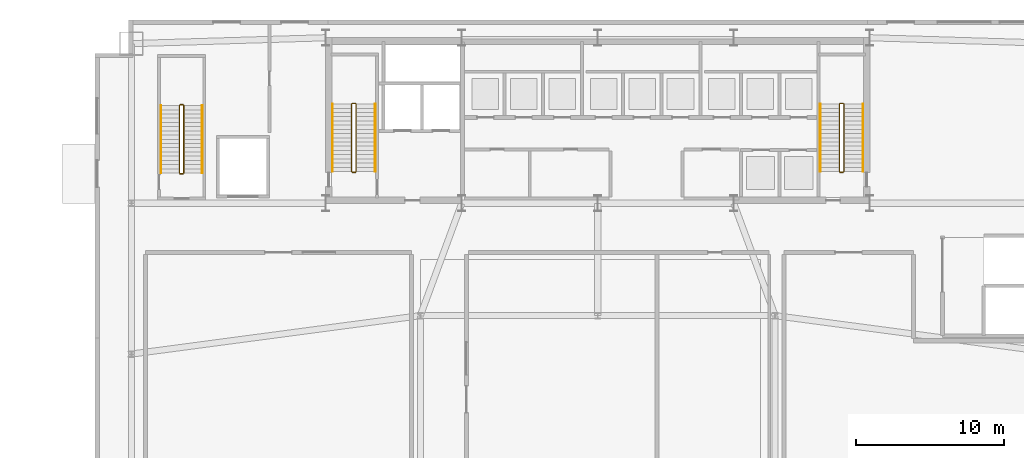
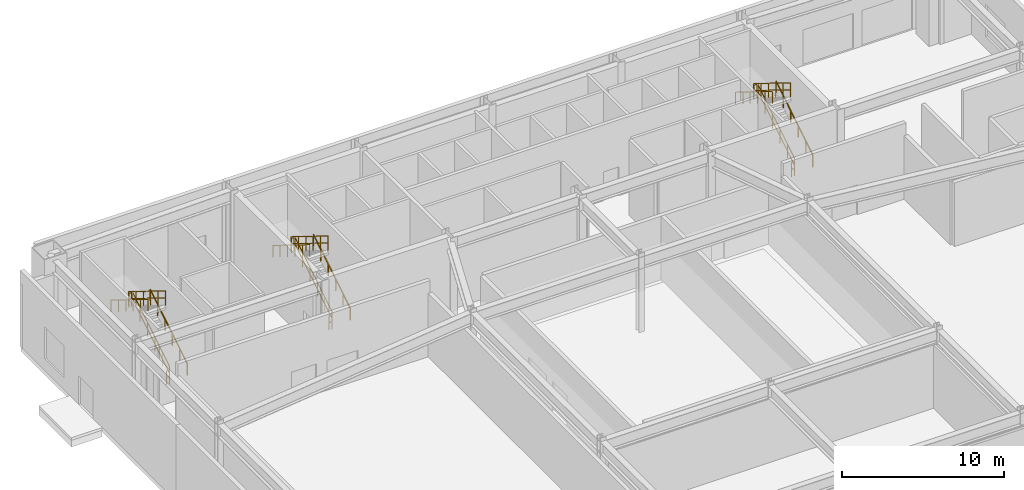
# One storey, part 15 of 17: 18 railings.
"""IFC4 building model written with IfcOpenShell, lengths in metres."""

from ifc_helpers import new_model, si_unit, direction, frame, origin, origin_2d, place, context, subcontext, project, spatial, rectangle, extrude, material, type_object, element, save


model = new_model("IFC4")

# Units and contexts
model_context = context("Model", 3, precision=1e-05, world=origin(), true_north=direction((0.0, 1.0)))
body_context = subcontext(model_context, "Body", "Model", "MODEL_VIEW")
ifc_project = project(units=[si_unit("LENGTHUNIT", "METRE"), si_unit("AREAUNIT", "SQUARE_METRE"), si_unit("VOLUMEUNIT", "CUBIC_METRE"), si_unit("PLANEANGLEUNIT", "RADIAN"), si_unit("MASSUNIT", "GRAM", prefix="KILO")], contexts=[model_context])

# Site, building, storey
site_placement = place(None, origin())
site = spatial("IfcSite", under=ifc_project, at=site_placement, CompositionType="ELEMENT")
building_placement = place(site_placement, origin())
building = spatial("IfcBuilding", under=site, at=building_placement, Name="Varnel Quay Broadcast Tower", CompositionType="ELEMENT")
storey_placement = place(building_placement, origin())
storey = spatial("IfcBuildingStorey", under=building, at=storey_placement, Name="L00", CompositionType="ELEMENT", Elevation=0.0)

# Railings
ifc_material = material(Name="Painted Steel Guard and Handrail CSA G40.21 350W", Category="steel")
railing_type_1 = type_object("IfcRailingType", Name="Rail_StairGuard1100", PredefinedType="GUARDRAIL", material=ifc_material)
railing_1_placement = place(storey_placement, frame((17.64990234375, 37.75, 0.176513671875)))
element("IfcRailing", 1, at=railing_1_placement, inside=storey, type_object=railing_type_1, Name="L00 ST-01 stair guard 1", PredefinedType="GUARDRAIL", context=body_context, shape_type="SweptSolid", body=[
    extrude(rectangle(XDim=0.048095703125, YDim=0.048095703125, at=origin_2d()), frame((0.0, 0.0, 1.076171875), z_axis=(0.0, 0.850215668316, 0.526434532824), x_axis=(-1.0, 0.0, 0.0)), (0.0, 0.0, 1.0), 5.363525390625),
    extrude(rectangle(XDim=0.048095703125, YDim=0.048095703125, at=origin_2d()), frame((0.0, 0.0, 0.550048828125), z_axis=(0.0, 0.850215668316, 0.526434532824), x_axis=(-1.0, 0.0, 0.0)), (0.0, 0.0, 1.0), 5.363525390625),
    extrude(rectangle(XDim=0.0419921875, YDim=0.0419921875, at=origin_2d()), origin(), (0.0, 0.0, 1.0), 1.052001953125),
    extrude(rectangle(XDim=0.0419921875, YDim=0.0419921875, at=origin_2d()), frame((0.0, 0.912109375, 0.564697265625)), (0.0, 0.0, 1.0), 1.052001953125),
    extrude(rectangle(XDim=0.0419921875, YDim=0.0419921875, at=origin_2d()), frame((0.0, 1.823974609375, 1.12939453125)), (0.0, 0.0, 1.0), 1.052001953125),
    extrude(rectangle(XDim=0.0419921875, YDim=0.0419921875, at=origin_2d()), frame((0.0, 2.736083984375, 1.694091796875)), (0.0, 0.0, 1.0), 1.052001953125),
    extrude(rectangle(XDim=0.0419921875, YDim=0.0419921875, at=origin_2d()), frame((0.0, 3.64794921875, 2.2587890625)), (0.0, 0.0, 1.0), 1.052001953125),
    extrude(rectangle(XDim=0.0419921875, YDim=0.0419921875, at=origin_2d()), frame((0.0, 4.56005859375, 2.823486328125)), (0.0, 0.0, 1.0), 1.052001953125),
])
railing_2_placement = place(storey_placement, frame((17.60009765625, 42.360107421875, 3.0)))
element("IfcRailing", 2, at=railing_2_placement, inside=storey, type_object=railing_type_1, Name="L00 ST-01 stair guard 2", PredefinedType="GUARDRAIL", context=body_context, shape_type="SweptSolid", body=[
    extrude(rectangle(XDim=0.048095703125, YDim=0.048095703125, at=origin_2d()), frame((0.0, 0.0, 1.076171875), z_axis=(-1.0, 0.0, 0.0), x_axis=(0.0, -1.0, 0.0)), (0.0, 0.0, 1.0), 0.2001953125),
    extrude(rectangle(XDim=0.048095703125, YDim=0.048095703125, at=origin_2d()), frame((0.0, 0.0, 0.550048828125), z_axis=(-1.0, 0.0, 0.0), x_axis=(0.0, -1.0, 0.0)), (0.0, 0.0, 1.0), 0.2001953125),
    extrude(rectangle(XDim=0.0419921875, YDim=0.0419921875, at=origin_2d()), origin(), (0.0, 0.0, 1.0), 1.052001953125),
    extrude(rectangle(XDim=0.0419921875, YDim=0.0419921875, at=origin_2d()), frame((-0.2001953125, 0.0, 0.0)), (0.0, 0.0, 1.0), 1.052001953125),
])
railing_3_placement = place(storey_placement, frame((17.35009765625, 42.31005859375, 3.176513671875)))
element("IfcRailing", 3, at=railing_3_placement, inside=storey, type_object=railing_type_1, Name="L00 ST-01 stair guard 3", PredefinedType="GUARDRAIL", context=body_context, shape_type="SweptSolid", body=[
    extrude(rectangle(XDim=0.048095703125, YDim=0.048095703125, at=origin_2d()), frame((0.0, 0.0, 1.076171875), z_axis=(0.0, -0.850215668316, 0.526434532824), x_axis=(1.0, 0.0, 0.0)), (0.0, 0.0, 1.0), 5.363525390625),
    extrude(rectangle(XDim=0.048095703125, YDim=0.048095703125, at=origin_2d()), frame((0.0, 0.0, 0.550048828125), z_axis=(0.0, -0.850215668316, 0.526434532824), x_axis=(1.0, 0.0, 0.0)), (0.0, 0.0, 1.0), 5.363525390625),
    extrude(rectangle(XDim=0.0419921875, YDim=0.0419921875, at=origin_2d()), origin(), (0.0, 0.0, 1.0), 1.052001953125),
    extrude(rectangle(XDim=0.0419921875, YDim=0.0419921875, at=origin_2d()), frame((0.0, -0.912109375, 0.564697265625)), (0.0, 0.0, 1.0), 1.052001953125),
    extrude(rectangle(XDim=0.0419921875, YDim=0.0419921875, at=origin_2d()), frame((0.0, -1.823974609375, 1.12939453125)), (0.0, 0.0, 1.0), 1.052001953125),
    extrude(rectangle(XDim=0.0419921875, YDim=0.0419921875, at=origin_2d()), frame((0.0, -2.736083984375, 1.694091796875)), (0.0, 0.0, 1.0), 1.052001953125),
    extrude(rectangle(XDim=0.0419921875, YDim=0.0419921875, at=origin_2d()), frame((0.0, -3.64794921875, 2.2587890625)), (0.0, 0.0, 1.0), 1.052001953125),
    extrude(rectangle(XDim=0.0419921875, YDim=0.0419921875, at=origin_2d()), frame((0.0, -4.56005859375, 2.823486328125)), (0.0, 0.0, 1.0), 1.052001953125),
])
railing_4_placement = place(storey_placement, frame((17.60009765625, 37.699951171875, 0.0)))
element("IfcRailing", 4, at=railing_4_placement, inside=storey, type_object=railing_type_1, Name="L00 ST-01 stair guard 4", PredefinedType="GUARDRAIL", context=body_context, shape_type="SweptSolid", body=[
    extrude(rectangle(XDim=0.048095703125, YDim=0.048095703125, at=origin_2d()), frame((0.0, 0.0, 1.076171875), z_axis=(-1.0, 0.0, 0.0), x_axis=(0.0, -1.0, 0.0)), (0.0, 0.0, 1.0), 0.2001953125),
    extrude(rectangle(XDim=0.048095703125, YDim=0.048095703125, at=origin_2d()), frame((0.0, 0.0, 0.550048828125), z_axis=(-1.0, 0.0, 0.0), x_axis=(0.0, -1.0, 0.0)), (0.0, 0.0, 1.0), 0.2001953125),
    extrude(rectangle(XDim=0.0419921875, YDim=0.0419921875, at=origin_2d()), origin(), (0.0, 0.0, 1.0), 1.052001953125),
    extrude(rectangle(XDim=0.0419921875, YDim=0.0419921875, at=origin_2d()), frame((-0.2001953125, 0.0, 0.0)), (0.0, 0.0, 1.0), 1.052001953125),
])
railing_5_placement = place(storey_placement, frame((50.64990234375, 37.75, 0.176513671875)))
element("IfcRailing", 5, at=railing_5_placement, inside=storey, type_object=railing_type_1, Name="L00 ST-02 stair guard 1", PredefinedType="GUARDRAIL", context=body_context, shape_type="SweptSolid", body=[
    extrude(rectangle(XDim=0.048095703125, YDim=0.048095703125, at=origin_2d()), frame((0.0, 0.0, 1.076171875), z_axis=(0.0, 0.850215668316, 0.526434532824), x_axis=(-1.0, 0.0, 0.0)), (0.0, 0.0, 1.0), 5.363525390625),
    extrude(rectangle(XDim=0.048095703125, YDim=0.048095703125, at=origin_2d()), frame((0.0, 0.0, 0.550048828125), z_axis=(0.0, 0.850215668316, 0.526434532824), x_axis=(-1.0, 0.0, 0.0)), (0.0, 0.0, 1.0), 5.363525390625),
    extrude(rectangle(XDim=0.0419921875, YDim=0.0419921875, at=origin_2d()), origin(), (0.0, 0.0, 1.0), 1.052001953125),
    extrude(rectangle(XDim=0.0419921875, YDim=0.0419921875, at=origin_2d()), frame((0.0, 0.912109375, 0.564697265625)), (0.0, 0.0, 1.0), 1.052001953125),
    extrude(rectangle(XDim=0.0419921875, YDim=0.0419921875, at=origin_2d()), frame((0.0, 1.823974609375, 1.12939453125)), (0.0, 0.0, 1.0), 1.052001953125),
    extrude(rectangle(XDim=0.0419921875, YDim=0.0419921875, at=origin_2d()), frame((0.0, 2.736083984375, 1.694091796875)), (0.0, 0.0, 1.0), 1.052001953125),
    extrude(rectangle(XDim=0.0419921875, YDim=0.0419921875, at=origin_2d()), frame((0.0, 3.64794921875, 2.2587890625)), (0.0, 0.0, 1.0), 1.052001953125),
    extrude(rectangle(XDim=0.0419921875, YDim=0.0419921875, at=origin_2d()), frame((0.0, 4.56005859375, 2.823486328125)), (0.0, 0.0, 1.0), 1.052001953125),
])
railing_6_placement = place(storey_placement, frame((50.60009765625, 42.360107421875, 3.0)))
element("IfcRailing", 6, at=railing_6_placement, inside=storey, type_object=railing_type_1, Name="L00 ST-02 stair guard 2", PredefinedType="GUARDRAIL", context=body_context, shape_type="SweptSolid", body=[
    extrude(rectangle(XDim=0.048095703125, YDim=0.048095703125, at=origin_2d()), frame((0.0, 0.0, 1.076171875), z_axis=(-1.0, 0.0, 0.0), x_axis=(0.0, -1.0, 0.0)), (0.0, 0.0, 1.0), 0.2001953125),
    extrude(rectangle(XDim=0.048095703125, YDim=0.048095703125, at=origin_2d()), frame((0.0, 0.0, 0.550048828125), z_axis=(-1.0, 0.0, 0.0), x_axis=(0.0, -1.0, 0.0)), (0.0, 0.0, 1.0), 0.2001953125),
    extrude(rectangle(XDim=0.0419921875, YDim=0.0419921875, at=origin_2d()), origin(), (0.0, 0.0, 1.0), 1.052001953125),
    extrude(rectangle(XDim=0.0419921875, YDim=0.0419921875, at=origin_2d()), frame((-0.2001953125, 0.0, 0.0)), (0.0, 0.0, 1.0), 1.052001953125),
])
railing_7_placement = place(storey_placement, frame((50.35009765625, 42.31005859375, 3.176513671875)))
element("IfcRailing", 7, at=railing_7_placement, inside=storey, type_object=railing_type_1, Name="L00 ST-02 stair guard 3", PredefinedType="GUARDRAIL", context=body_context, shape_type="SweptSolid", body=[
    extrude(rectangle(XDim=0.048095703125, YDim=0.048095703125, at=origin_2d()), frame((0.0, 0.0, 1.076171875), z_axis=(0.0, -0.850215668316, 0.526434532824), x_axis=(1.0, 0.0, 0.0)), (0.0, 0.0, 1.0), 5.363525390625),
    extrude(rectangle(XDim=0.048095703125, YDim=0.048095703125, at=origin_2d()), frame((0.0, 0.0, 0.550048828125), z_axis=(0.0, -0.850215668316, 0.526434532824), x_axis=(1.0, 0.0, 0.0)), (0.0, 0.0, 1.0), 5.363525390625),
    extrude(rectangle(XDim=0.0419921875, YDim=0.0419921875, at=origin_2d()), origin(), (0.0, 0.0, 1.0), 1.052001953125),
    extrude(rectangle(XDim=0.0419921875, YDim=0.0419921875, at=origin_2d()), frame((0.0, -0.912109375, 0.564697265625)), (0.0, 0.0, 1.0), 1.052001953125),
    extrude(rectangle(XDim=0.0419921875, YDim=0.0419921875, at=origin_2d()), frame((0.0, -1.823974609375, 1.12939453125)), (0.0, 0.0, 1.0), 1.052001953125),
    extrude(rectangle(XDim=0.0419921875, YDim=0.0419921875, at=origin_2d()), frame((0.0, -2.736083984375, 1.694091796875)), (0.0, 0.0, 1.0), 1.052001953125),
    extrude(rectangle(XDim=0.0419921875, YDim=0.0419921875, at=origin_2d()), frame((0.0, -3.64794921875, 2.2587890625)), (0.0, 0.0, 1.0), 1.052001953125),
    extrude(rectangle(XDim=0.0419921875, YDim=0.0419921875, at=origin_2d()), frame((0.0, -4.56005859375, 2.823486328125)), (0.0, 0.0, 1.0), 1.052001953125),
])
railing_8_placement = place(storey_placement, frame((50.60009765625, 37.699951171875, 0.0)))
element("IfcRailing", 8, at=railing_8_placement, inside=storey, type_object=railing_type_1, Name="L00 ST-02 stair guard 4", PredefinedType="GUARDRAIL", context=body_context, shape_type="SweptSolid", body=[
    extrude(rectangle(XDim=0.048095703125, YDim=0.048095703125, at=origin_2d()), frame((0.0, 0.0, 1.076171875), z_axis=(-1.0, 0.0, 0.0), x_axis=(0.0, -1.0, 0.0)), (0.0, 0.0, 1.0), 0.2001953125),
    extrude(rectangle(XDim=0.048095703125, YDim=0.048095703125, at=origin_2d()), frame((0.0, 0.0, 0.550048828125), z_axis=(-1.0, 0.0, 0.0), x_axis=(0.0, -1.0, 0.0)), (0.0, 0.0, 1.0), 0.2001953125),
    extrude(rectangle(XDim=0.0419921875, YDim=0.0419921875, at=origin_2d()), origin(), (0.0, 0.0, 1.0), 1.052001953125),
    extrude(rectangle(XDim=0.0419921875, YDim=0.0419921875, at=origin_2d()), frame((-0.2001953125, 0.0, 0.0)), (0.0, 0.0, 1.0), 1.052001953125),
])
railing_9_placement = place(storey_placement, frame((6.0, 37.64990234375, 0.176513671875)))
element("IfcRailing", 9, at=railing_9_placement, inside=storey, type_object=railing_type_1, Name="L00 ST-03 stair guard 1", PredefinedType="GUARDRAIL", context=body_context, shape_type="SweptSolid", body=[
    extrude(rectangle(XDim=0.048095703125, YDim=0.048095703125, at=origin_2d()), frame((0.0, 0.0, 1.076171875), z_axis=(0.0, 0.850215668316, 0.526434532824), x_axis=(-1.0, 0.0, 0.0)), (0.0, 0.0, 1.0), 5.363525390625),
    extrude(rectangle(XDim=0.048095703125, YDim=0.048095703125, at=origin_2d()), frame((0.0, 0.0, 0.550048828125), z_axis=(0.0, 0.850215668316, 0.526434532824), x_axis=(-1.0, 0.0, 0.0)), (0.0, 0.0, 1.0), 5.363525390625),
    extrude(rectangle(XDim=0.0419921875, YDim=0.0419921875, at=origin_2d()), origin(), (0.0, 0.0, 1.0), 1.052001953125),
    extrude(rectangle(XDim=0.0419921875, YDim=0.0419921875, at=origin_2d()), frame((0.0, 0.912109375, 0.564697265625)), (0.0, 0.0, 1.0), 1.052001953125),
    extrude(rectangle(XDim=0.0419921875, YDim=0.0419921875, at=origin_2d()), frame((0.0, 1.823974609375, 1.12939453125)), (0.0, 0.0, 1.0), 1.052001953125),
    extrude(rectangle(XDim=0.0419921875, YDim=0.0419921875, at=origin_2d()), frame((0.0, 2.736083984375, 1.694091796875)), (0.0, 0.0, 1.0), 1.052001953125),
    extrude(rectangle(XDim=0.0419921875, YDim=0.0419921875, at=origin_2d()), frame((0.0, 3.64794921875, 2.2587890625)), (0.0, 0.0, 1.0), 1.052001953125),
    extrude(rectangle(XDim=0.0419921875, YDim=0.0419921875, at=origin_2d()), frame((0.0, 4.56005859375, 2.823486328125)), (0.0, 0.0, 1.0), 1.052001953125),
])
railing_10_placement = place(storey_placement, frame((5.949951171875, 42.260009765625, 3.0)))
element("IfcRailing", 10, at=railing_10_placement, inside=storey, type_object=railing_type_1, Name="L00 ST-03 stair guard 2", PredefinedType="GUARDRAIL", context=body_context, shape_type="SweptSolid", body=[
    extrude(rectangle(XDim=0.048095703125, YDim=0.048095703125, at=origin_2d()), frame((0.0, 0.0, 1.076171875), z_axis=(-1.0, 0.0, 0.0), x_axis=(0.0, -1.0, 0.0)), (0.0, 0.0, 1.0), 0.199951171875),
    extrude(rectangle(XDim=0.048095703125, YDim=0.048095703125, at=origin_2d()), frame((0.0, 0.0, 0.550048828125), z_axis=(-1.0, 0.0, 0.0), x_axis=(0.0, -1.0, 0.0)), (0.0, 0.0, 1.0), 0.199951171875),
    extrude(rectangle(XDim=0.0419921875, YDim=0.0419921875, at=origin_2d()), origin(), (0.0, 0.0, 1.0), 1.052001953125),
    extrude(rectangle(XDim=0.0419921875, YDim=0.0419921875, at=origin_2d()), frame((-0.199951171875, 0.0, 0.0)), (0.0, 0.0, 1.0), 1.052001953125),
])
railing_11_placement = place(storey_placement, frame((5.699951171875, 42.2099609375, 3.176513671875)))
element("IfcRailing", 11, at=railing_11_placement, inside=storey, type_object=railing_type_1, Name="L00 ST-03 stair guard 3", PredefinedType="GUARDRAIL", context=body_context, shape_type="SweptSolid", body=[
    extrude(rectangle(XDim=0.048095703125, YDim=0.048095703125, at=origin_2d()), frame((0.0, 0.0, 1.076171875), z_axis=(0.0, -0.850215668316, 0.526434532824), x_axis=(1.0, 0.0, 0.0)), (0.0, 0.0, 1.0), 5.363525390625),
    extrude(rectangle(XDim=0.048095703125, YDim=0.048095703125, at=origin_2d()), frame((0.0, 0.0, 0.550048828125), z_axis=(0.0, -0.850215668316, 0.526434532824), x_axis=(1.0, 0.0, 0.0)), (0.0, 0.0, 1.0), 5.363525390625),
    extrude(rectangle(XDim=0.0419921875, YDim=0.0419921875, at=origin_2d()), origin(), (0.0, 0.0, 1.0), 1.052001953125),
    extrude(rectangle(XDim=0.0419921875, YDim=0.0419921875, at=origin_2d()), frame((0.0, -0.912109375, 0.564697265625)), (0.0, 0.0, 1.0), 1.052001953125),
    extrude(rectangle(XDim=0.0419921875, YDim=0.0419921875, at=origin_2d()), frame((0.0, -1.823974609375, 1.12939453125)), (0.0, 0.0, 1.0), 1.052001953125),
    extrude(rectangle(XDim=0.0419921875, YDim=0.0419921875, at=origin_2d()), frame((0.0, -2.736083984375, 1.694091796875)), (0.0, 0.0, 1.0), 1.052001953125),
    extrude(rectangle(XDim=0.0419921875, YDim=0.0419921875, at=origin_2d()), frame((0.0, -3.64794921875, 2.2587890625)), (0.0, 0.0, 1.0), 1.052001953125),
    extrude(rectangle(XDim=0.0419921875, YDim=0.0419921875, at=origin_2d()), frame((0.0, -4.56005859375, 2.823486328125)), (0.0, 0.0, 1.0), 1.052001953125),
])
railing_12_placement = place(storey_placement, frame((5.949951171875, 37.60009765625, 0.0)))
element("IfcRailing", 12, at=railing_12_placement, inside=storey, type_object=railing_type_1, Name="L00 ST-03 stair guard 4", PredefinedType="GUARDRAIL", context=body_context, shape_type="SweptSolid", body=[
    extrude(rectangle(XDim=0.048095703125, YDim=0.048095703125, at=origin_2d()), frame((0.0, 0.0, 1.076171875), z_axis=(-1.0, 0.0, 0.0), x_axis=(0.0, -1.0, 0.0)), (0.0, 0.0, 1.0), 0.199951171875),
    extrude(rectangle(XDim=0.048095703125, YDim=0.048095703125, at=origin_2d()), frame((0.0, 0.0, 0.550048828125), z_axis=(-1.0, 0.0, 0.0), x_axis=(0.0, -1.0, 0.0)), (0.0, 0.0, 1.0), 0.199951171875),
    extrude(rectangle(XDim=0.0419921875, YDim=0.0419921875, at=origin_2d()), origin(), (0.0, 0.0, 1.0), 1.052001953125),
    extrude(rectangle(XDim=0.0419921875, YDim=0.0419921875, at=origin_2d()), frame((-0.199951171875, 0.0, 0.0)), (0.0, 0.0, 1.0), 1.052001953125),
])
railing_type_2 = type_object("IfcRailingType", Name="Rail_StairHandrail900", PredefinedType="HANDRAIL", material=ifc_material)
railing_13_placement = place(storey_placement, frame((18.949951171875, 37.75, 0.176513671875)))
element("IfcRailing", 13, at=railing_13_placement, inside=storey, type_object=railing_type_2, Name="L00 ST-01 stair handrail 1", PredefinedType="HANDRAIL", context=body_context, shape_type="SweptSolid", body=[
    extrude(rectangle(XDim=0.048095703125, YDim=0.048095703125, at=origin_2d()), frame((0.0, 0.0, 0.8759765625), z_axis=(0.0, 0.850215668316, 0.526434532824), x_axis=(-1.0, 0.0, 0.0)), (0.0, 0.0, 1.0), 5.363525390625),
    extrude(rectangle(XDim=0.0419921875, YDim=0.0419921875, at=origin_2d()), origin(), (0.0, 0.0, 1.0), 0.851806640625),
    extrude(rectangle(XDim=0.0419921875, YDim=0.0419921875, at=origin_2d()), frame((0.0, 0.912109375, 0.564697265625)), (0.0, 0.0, 1.0), 0.851806640625),
    extrude(rectangle(XDim=0.0419921875, YDim=0.0419921875, at=origin_2d()), frame((0.0, 1.823974609375, 1.12939453125)), (0.0, 0.0, 1.0), 0.851806640625),
    extrude(rectangle(XDim=0.0419921875, YDim=0.0419921875, at=origin_2d()), frame((0.0, 2.736083984375, 1.694091796875)), (0.0, 0.0, 1.0), 0.851806640625),
    extrude(rectangle(XDim=0.0419921875, YDim=0.0419921875, at=origin_2d()), frame((0.0, 3.64794921875, 2.2587890625)), (0.0, 0.0, 1.0), 0.851806640625),
    extrude(rectangle(XDim=0.0419921875, YDim=0.0419921875, at=origin_2d()), frame((0.0, 4.56005859375, 2.823486328125)), (0.0, 0.0, 1.0), 0.851806640625),
])
railing_14_placement = place(storey_placement, frame((16.050048828125, 42.31005859375, 3.176513671875)))
element("IfcRailing", 14, at=railing_14_placement, inside=storey, type_object=railing_type_2, Name="L00 ST-01 stair handrail 2", PredefinedType="HANDRAIL", context=body_context, shape_type="SweptSolid", body=[
    extrude(rectangle(XDim=0.048095703125, YDim=0.048095703125, at=origin_2d()), frame((0.0, 0.0, 0.8759765625), z_axis=(0.0, -0.850215668316, 0.526434532824), x_axis=(1.0, 0.0, 0.0)), (0.0, 0.0, 1.0), 5.363525390625),
    extrude(rectangle(XDim=0.0419921875, YDim=0.0419921875, at=origin_2d()), origin(), (0.0, 0.0, 1.0), 0.851806640625),
    extrude(rectangle(XDim=0.0419921875, YDim=0.0419921875, at=origin_2d()), frame((0.0, -0.912109375, 0.564697265625)), (0.0, 0.0, 1.0), 0.851806640625),
    extrude(rectangle(XDim=0.0419921875, YDim=0.0419921875, at=origin_2d()), frame((0.0, -1.823974609375, 1.12939453125)), (0.0, 0.0, 1.0), 0.851806640625),
    extrude(rectangle(XDim=0.0419921875, YDim=0.0419921875, at=origin_2d()), frame((0.0, -2.736083984375, 1.694091796875)), (0.0, 0.0, 1.0), 0.851806640625),
    extrude(rectangle(XDim=0.0419921875, YDim=0.0419921875, at=origin_2d()), frame((0.0, -3.64794921875, 2.2587890625)), (0.0, 0.0, 1.0), 0.851806640625),
    extrude(rectangle(XDim=0.0419921875, YDim=0.0419921875, at=origin_2d()), frame((0.0, -4.56005859375, 2.823486328125)), (0.0, 0.0, 1.0), 0.851806640625),
])
railing_15_placement = place(storey_placement, frame((51.949951171875, 37.75, 0.176513671875)))
element("IfcRailing", 15, at=railing_15_placement, inside=storey, type_object=railing_type_2, Name="L00 ST-02 stair handrail 1", PredefinedType="HANDRAIL", context=body_context, shape_type="SweptSolid", body=[
    extrude(rectangle(XDim=0.048095703125, YDim=0.048095703125, at=origin_2d()), frame((0.0, 0.0, 0.8759765625), z_axis=(0.0, 0.850215668316, 0.526434532824), x_axis=(-1.0, 0.0, 0.0)), (0.0, 0.0, 1.0), 5.363525390625),
    extrude(rectangle(XDim=0.0419921875, YDim=0.0419921875, at=origin_2d()), origin(), (0.0, 0.0, 1.0), 0.851806640625),
    extrude(rectangle(XDim=0.0419921875, YDim=0.0419921875, at=origin_2d()), frame((0.0, 0.912109375, 0.564697265625)), (0.0, 0.0, 1.0), 0.851806640625),
    extrude(rectangle(XDim=0.0419921875, YDim=0.0419921875, at=origin_2d()), frame((0.0, 1.823974609375, 1.12939453125)), (0.0, 0.0, 1.0), 0.851806640625),
    extrude(rectangle(XDim=0.0419921875, YDim=0.0419921875, at=origin_2d()), frame((0.0, 2.736083984375, 1.694091796875)), (0.0, 0.0, 1.0), 0.851806640625),
    extrude(rectangle(XDim=0.0419921875, YDim=0.0419921875, at=origin_2d()), frame((0.0, 3.64794921875, 2.2587890625)), (0.0, 0.0, 1.0), 0.851806640625),
    extrude(rectangle(XDim=0.0419921875, YDim=0.0419921875, at=origin_2d()), frame((0.0, 4.56005859375, 2.823486328125)), (0.0, 0.0, 1.0), 0.851806640625),
])
railing_16_placement = place(storey_placement, frame((49.050048828125, 42.31005859375, 3.176513671875)))
element("IfcRailing", 16, at=railing_16_placement, inside=storey, type_object=railing_type_2, Name="L00 ST-02 stair handrail 2", PredefinedType="HANDRAIL", context=body_context, shape_type="SweptSolid", body=[
    extrude(rectangle(XDim=0.048095703125, YDim=0.048095703125, at=origin_2d()), frame((0.0, 0.0, 0.8759765625), z_axis=(0.0, -0.850215668316, 0.526434532824), x_axis=(1.0, 0.0, 0.0)), (0.0, 0.0, 1.0), 5.363525390625),
    extrude(rectangle(XDim=0.0419921875, YDim=0.0419921875, at=origin_2d()), origin(), (0.0, 0.0, 1.0), 0.851806640625),
    extrude(rectangle(XDim=0.0419921875, YDim=0.0419921875, at=origin_2d()), frame((0.0, -0.912109375, 0.564697265625)), (0.0, 0.0, 1.0), 0.851806640625),
    extrude(rectangle(XDim=0.0419921875, YDim=0.0419921875, at=origin_2d()), frame((0.0, -1.823974609375, 1.12939453125)), (0.0, 0.0, 1.0), 0.851806640625),
    extrude(rectangle(XDim=0.0419921875, YDim=0.0419921875, at=origin_2d()), frame((0.0, -2.736083984375, 1.694091796875)), (0.0, 0.0, 1.0), 0.851806640625),
    extrude(rectangle(XDim=0.0419921875, YDim=0.0419921875, at=origin_2d()), frame((0.0, -3.64794921875, 2.2587890625)), (0.0, 0.0, 1.0), 0.851806640625),
    extrude(rectangle(XDim=0.0419921875, YDim=0.0419921875, at=origin_2d()), frame((0.0, -4.56005859375, 2.823486328125)), (0.0, 0.0, 1.0), 0.851806640625),
])
railing_17_placement = place(storey_placement, frame((7.25, 37.64990234375, 0.176513671875)))
element("IfcRailing", 17, at=railing_17_placement, inside=storey, type_object=railing_type_2, Name="L00 ST-03 stair handrail 1", PredefinedType="HANDRAIL", context=body_context, shape_type="SweptSolid", body=[
    extrude(rectangle(XDim=0.048095703125, YDim=0.048095703125, at=origin_2d()), frame((0.0, 0.0, 0.8759765625), z_axis=(0.0, 0.850215668316, 0.526434532824), x_axis=(-1.0, 0.0, 0.0)), (0.0, 0.0, 1.0), 5.363525390625),
    extrude(rectangle(XDim=0.0419921875, YDim=0.0419921875, at=origin_2d()), origin(), (0.0, 0.0, 1.0), 0.851806640625),
    extrude(rectangle(XDim=0.0419921875, YDim=0.0419921875, at=origin_2d()), frame((0.0, 0.912109375, 0.564697265625)), (0.0, 0.0, 1.0), 0.851806640625),
    extrude(rectangle(XDim=0.0419921875, YDim=0.0419921875, at=origin_2d()), frame((0.0, 1.823974609375, 1.12939453125)), (0.0, 0.0, 1.0), 0.851806640625),
    extrude(rectangle(XDim=0.0419921875, YDim=0.0419921875, at=origin_2d()), frame((0.0, 2.736083984375, 1.694091796875)), (0.0, 0.0, 1.0), 0.851806640625),
    extrude(rectangle(XDim=0.0419921875, YDim=0.0419921875, at=origin_2d()), frame((0.0, 3.64794921875, 2.2587890625)), (0.0, 0.0, 1.0), 0.851806640625),
    extrude(rectangle(XDim=0.0419921875, YDim=0.0419921875, at=origin_2d()), frame((0.0, 4.56005859375, 2.823486328125)), (0.0, 0.0, 1.0), 0.851806640625),
])
railing_18_placement = place(storey_placement, frame((4.449951171875, 42.2099609375, 3.176513671875)))
element("IfcRailing", 18, at=railing_18_placement, inside=storey, type_object=railing_type_2, Name="L00 ST-03 stair handrail 2", PredefinedType="HANDRAIL", context=body_context, shape_type="SweptSolid", body=[
    extrude(rectangle(XDim=0.048095703125, YDim=0.048095703125, at=origin_2d()), frame((0.0, 0.0, 0.8759765625), z_axis=(0.0, -0.850215668316, 0.526434532824), x_axis=(1.0, 0.0, 0.0)), (0.0, 0.0, 1.0), 5.363525390625),
    extrude(rectangle(XDim=0.0419921875, YDim=0.0419921875, at=origin_2d()), origin(), (0.0, 0.0, 1.0), 0.851806640625),
    extrude(rectangle(XDim=0.0419921875, YDim=0.0419921875, at=origin_2d()), frame((0.0, -0.912109375, 0.564697265625)), (0.0, 0.0, 1.0), 0.851806640625),
    extrude(rectangle(XDim=0.0419921875, YDim=0.0419921875, at=origin_2d()), frame((0.0, -1.823974609375, 1.12939453125)), (0.0, 0.0, 1.0), 0.851806640625),
    extrude(rectangle(XDim=0.0419921875, YDim=0.0419921875, at=origin_2d()), frame((0.0, -2.736083984375, 1.694091796875)), (0.0, 0.0, 1.0), 0.851806640625),
    extrude(rectangle(XDim=0.0419921875, YDim=0.0419921875, at=origin_2d()), frame((0.0, -3.64794921875, 2.2587890625)), (0.0, 0.0, 1.0), 0.851806640625),
    extrude(rectangle(XDim=0.0419921875, YDim=0.0419921875, at=origin_2d()), frame((0.0, -4.56005859375, 2.823486328125)), (0.0, 0.0, 1.0), 0.851806640625),
])

save(model, "model.ifc")
